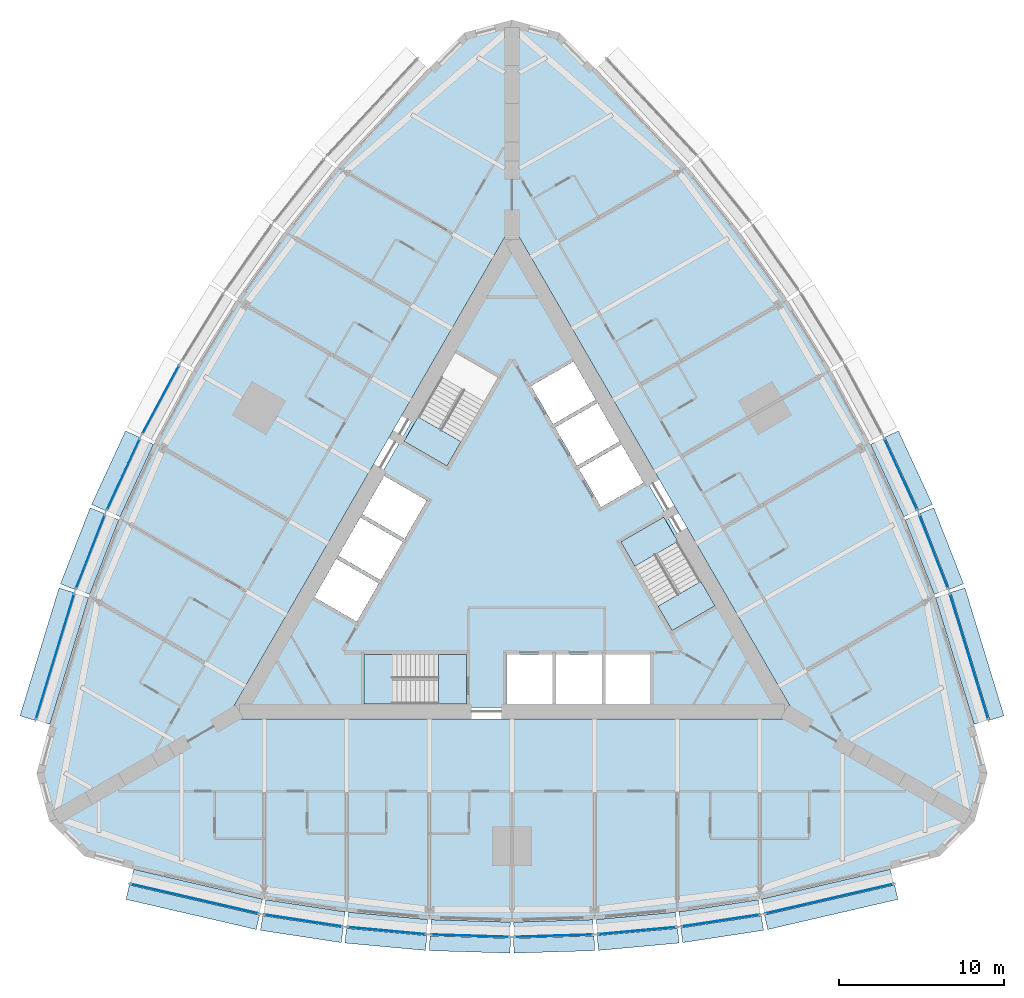
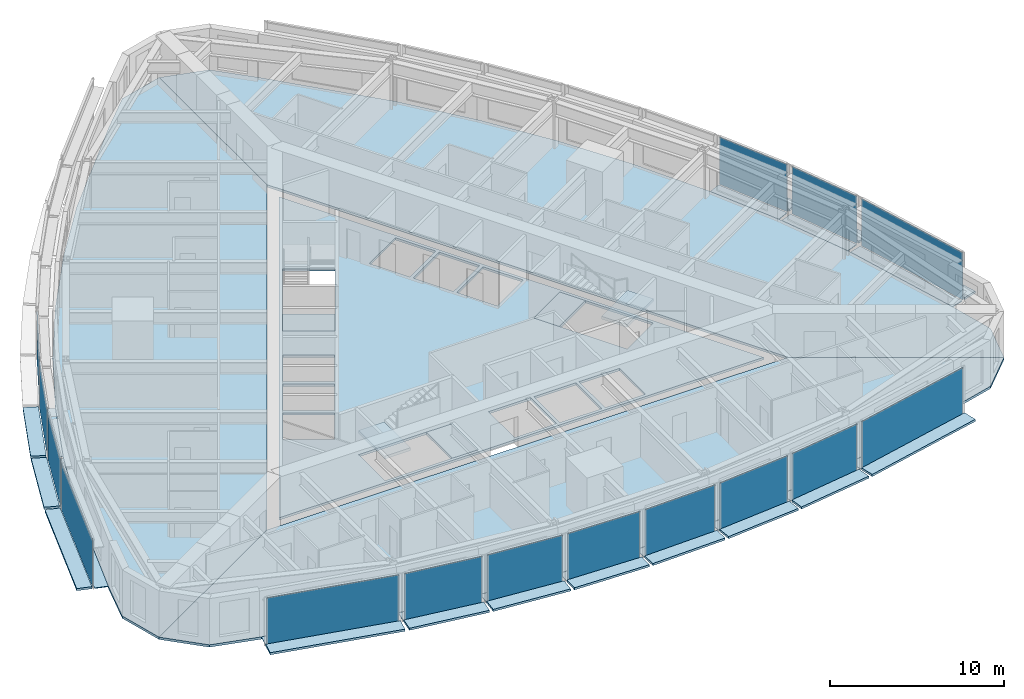
# One storey, part 6 of 14: 43 plates, 9 slabs, 18 elements without a shape of their own.
"""IFC4 building model written with IfcOpenShell, lengths in metres."""

from ifc_helpers import new_model, si_unit, direction, frame, origin, origin_2d, place, context, subcontext, project, spatial, polyline, rectangle, outline, extrude, material, layer, layer_set, type_object, element, aggregate, save


model = new_model("IFC4")

# Units and contexts
model_context = context("Model", 3, precision=1e-05, world=origin(), true_north=direction((0.0, 1.0)))
body_context = subcontext(model_context, "Body", "Model", "MODEL_VIEW")
ifc_project = project(units=[si_unit("LENGTHUNIT", "METRE"), si_unit("AREAUNIT", "SQUARE_METRE"), si_unit("VOLUMEUNIT", "CUBIC_METRE"), si_unit("PLANEANGLEUNIT", "RADIAN"), si_unit("MASSUNIT", "GRAM", prefix="KILO")], contexts=[model_context])

# Site, building, storey
site_placement = place(None, origin())
site = spatial("IfcSite", under=ifc_project, at=site_placement, CompositionType="ELEMENT")
building_placement = place(site_placement, origin())
building = spatial("IfcBuilding", under=site, at=building_placement, Name="Trikona Tower", CompositionType="ELEMENT")
storey_placement = place(building_placement, frame((0.0, 0.0, 65.89990234375)))
storey = spatial("IfcBuildingStorey", under=building, at=storey_placement, Name="L16", CompositionType="ELEMENT", Elevation=65.89990234375)

# Plates
ifc_material_1 = material(Name="Aluminium bar grating", Category="aluminium")
ifc_layer_1 = layer(ifc_material_1, 0.050048828125)
ifc_layer_set_1 = layer_set([ifc_layer_1], Name="Cavity catwalk grating")
plate_type_1 = type_object("IfcPlateType", Name="Cavity catwalk grating", PredefinedType="USERDEFINED", material=ifc_layer_set_1)
plate_1_placement = place(storey_placement, frame((-19.09228515625, -20.377197265625, -0.0498046875), z_axis=(0.0, 0.0, 1.0), x_axis=(0.974277718622, -0.225350675607, 0.0)))
element("IfcPlate", 1, at=plate_1_placement, inside=storey, type_object=plate_type_1, Name="Cavity catwalk L16-00", ObjectType="CATWALK GRATING", PredefinedType="USERDEFINED", context=body_context, shape_type="SweptSolid", body=[
    extrude(rectangle(XDim=8.01123046875, YDim=0.820068359375, at=origin_2d()), origin(), (0.0, 0.0, 1.0), 0.050048828125),
])
plate_2_placement = place(storey_placement, frame((-12.561767578125, -21.688720703125, -0.0498046875), z_axis=(0.0, 0.0, 1.0), x_axis=(0.988617896768, -0.150448177754, 0.0)))
element("IfcPlate", 2, at=plate_2_placement, inside=storey, type_object=plate_type_1, Name="Cavity catwalk L16-01", ObjectType="CATWALK GRATING", PredefinedType="USERDEFINED", context=body_context, shape_type="SweptSolid", body=[
    extrude(rectangle(XDim=4.857666015625, YDim=0.820068359375, at=origin_2d()), origin(), (0.0, 0.0, 1.0), 0.050048828125),
])
plate_3_placement = place(storey_placement, frame((-7.537353515625, -22.300537109375, -0.0498046875), z_axis=(0.0, 0.0, 1.0), x_axis=(0.995858098326, -0.090921108655, 0.0)))
element("IfcPlate", 3, at=plate_3_placement, inside=storey, type_object=plate_type_1, Name="Cavity catwalk L16-02", ObjectType="CATWALK GRATING", PredefinedType="USERDEFINED", context=body_context, shape_type="SweptSolid", body=[
    extrude(rectangle(XDim=4.82080078125, YDim=0.820068359375, at=origin_2d()), origin(), (0.0, 0.0, 1.0), 0.050048828125),
])
for number, where, z_axis, x_axis, name in (
    (4, (-2.512451171875, -22.606201171875, -0.0498046875), (0.0, 0.0, 1.0), (0.999537048889, -0.030425119525, 0.0), "Cavity catwalk L16-03"),
    (5, (2.512451171875, -22.606201171875, -0.0498046875), (0.0, 0.0, 1.0), (0.999537048889, 0.030425119525, 0.0), "Cavity catwalk L16-04"),
):
    element("IfcPlate", number, at=place(storey_placement, frame(where, z_axis=z_axis, x_axis=x_axis)), inside=storey, type_object=plate_type_1, Name=name, ObjectType="CATWALK GRATING", PredefinedType="USERDEFINED", context=body_context, shape_type="SweptSolid", body=[
        extrude(rectangle(XDim=4.80224609375, YDim=0.820068359375, at=origin_2d()), origin(), (0.0, 0.0, 1.0), 0.050048828125),
    ])
plate_4_placement = place(storey_placement, frame((7.537353515625, -22.300537109375, -0.0498046875), z_axis=(0.0, 0.0, 1.0), x_axis=(0.995858098326, 0.090921108655, 0.0)))
element("IfcPlate", 6, at=plate_4_placement, inside=storey, type_object=plate_type_1, Name="Cavity catwalk L16-05", ObjectType="CATWALK GRATING", PredefinedType="USERDEFINED", context=body_context, shape_type="SweptSolid", body=[
    extrude(rectangle(XDim=4.82080078125, YDim=0.820068359375, at=origin_2d()), origin(), (0.0, 0.0, 1.0), 0.050048828125),
])
plate_5_placement = place(storey_placement, frame((12.561767578125, -21.688720703125, -0.0498046875), z_axis=(0.0, 0.0, 1.0), x_axis=(0.988617896768, 0.150448177754, 0.0)))
element("IfcPlate", 7, at=plate_5_placement, inside=storey, type_object=plate_type_1, Name="Cavity catwalk L16-06", ObjectType="CATWALK GRATING", PredefinedType="USERDEFINED", context=body_context, shape_type="SweptSolid", body=[
    extrude(rectangle(XDim=4.857666015625, YDim=0.820068359375, at=origin_2d()), origin(), (0.0, 0.0, 1.0), 0.050048828125),
])
for number, where, z_axis, x_axis, name in (
    (8, (19.09228515625, -20.377197265625, -0.0498046875), (0.0, 0.0, 1.0), (0.974277718622, 0.225350675607, 0.0), "Cavity catwalk L16-07"),
    (9, (27.193359375, -6.345947265625, -0.0498046875), (0.0, 0.0, 1.0), (-0.291979449475, 0.956424592471, 0.0), "Cavity catwalk L16-12"),
):
    element("IfcPlate", number, at=place(storey_placement, frame(where, z_axis=z_axis, x_axis=x_axis)), inside=storey, type_object=plate_type_1, Name=name, ObjectType="CATWALK GRATING", PredefinedType="USERDEFINED", context=body_context, shape_type="SweptSolid", body=[
        extrude(rectangle(XDim=8.01123046875, YDim=0.820068359375, at=origin_2d()), origin(), (0.0, 0.0, 1.0), 0.050048828125),
    ])
plate_6_placement = place(storey_placement, frame((25.06396484375, -0.034423828125, -0.0498046875), z_axis=(0.0, 0.0, 1.0), x_axis=(-0.364008876551, 0.931395478726, 0.0)))
element("IfcPlate", 10, at=plate_6_placement, inside=storey, type_object=plate_type_1, Name="Cavity catwalk L16-13", ObjectType="CATWALK GRATING", PredefinedType="USERDEFINED", context=body_context, shape_type="SweptSolid", body=[
    extrude(rectangle(XDim=4.857666015625, YDim=0.820068359375, at=origin_2d()), origin(), (0.0, 0.0, 1.0), 0.050048828125),
])
for number, where, z_axis, x_axis, name in (
    (11, (23.081298828125, 4.622802734375, -0.0498046875), (0.0, 0.0, 1.0), (-0.41919381307, 0.907896771161, 0.0), "Cavity catwalk L16-14"),
    (12, (-23.081298828125, 4.622802734375, -0.0498046875), (0.0, 0.0, 1.0), (-0.41919381307, -0.907896771161, 0.0), "Cavity catwalk L16-29"),
):
    element("IfcPlate", number, at=place(storey_placement, frame(where, z_axis=z_axis, x_axis=x_axis)), inside=storey, type_object=plate_type_1, Name=name, ObjectType="CATWALK GRATING", PredefinedType="USERDEFINED", context=body_context, shape_type="SweptSolid", body=[
        extrude(rectangle(XDim=4.82080078125, YDim=0.820068359375, at=origin_2d()), origin(), (0.0, 0.0, 1.0), 0.050048828125),
    ])
plate_7_placement = place(storey_placement, frame((-25.06396484375, -0.034423828125, -0.0498046875), z_axis=(0.0, 0.0, 1.0), x_axis=(-0.364008876551, -0.931395478726, 0.0)))
element("IfcPlate", 13, at=plate_7_placement, inside=storey, type_object=plate_type_1, Name="Cavity catwalk L16-30", ObjectType="CATWALK GRATING", PredefinedType="USERDEFINED", context=body_context, shape_type="SweptSolid", body=[
    extrude(rectangle(XDim=4.857666015625, YDim=0.820068359375, at=origin_2d()), origin(), (0.0, 0.0, 1.0), 0.050048828125),
])
plate_8_placement = place(storey_placement, frame((-27.193359375, -6.345947265625, -0.0498046875), z_axis=(0.0, 0.0, 1.0), x_axis=(-0.291979449475, -0.956424592471, 0.0)))
element("IfcPlate", 14, at=plate_8_placement, inside=storey, type_object=plate_type_1, Name="Cavity catwalk L16-31", ObjectType="CATWALK GRATING", PredefinedType="USERDEFINED", context=body_context, shape_type="SweptSolid", body=[
    extrude(rectangle(XDim=8.01123046875, YDim=0.820068359375, at=origin_2d()), origin(), (0.0, 0.0, 1.0), 0.050048828125),
])

# Slabs
ifc_material_2 = material(Name="Concrete f'c 5000 psi lightweight on composite steel deck", Category="concrete")
ifc_layer_2 = layer(ifc_material_2, 0.1650390625)
ifc_layer_set_2 = layer_set([ifc_layer_2], Name="Composite floor slab 165")
slab_type_1 = type_object("IfcSlabType", Name="Composite floor slab 165", PredefinedType="FLOOR", material=ifc_layer_set_2)
slab_1_placement = place(storey_placement, frame((0.0, 0.0, -0.164794921875)))
element("IfcSlab", 15, at=slab_1_placement, inside=storey, type_object=slab_type_1, Name="Floor slab L16 core", PredefinedType="FLOOR", context=body_context, shape_type="SweptSolid", body=[
    extrude(outline(polyline([(-16.06689453125, -9.2763671875), (16.06689453125, -9.2763671875), (0.0, 18.552490234375), (-16.06689453125, -9.2763671875)]), holes=[polyline([(12.285400390625, -3.126220703125), (9.185302734375, 2.2431640625), (6.587158203125, 0.7431640625), (9.687255859375, -4.626220703125), (12.285400390625, -3.126220703125)]), polyline([(8.340087890625, -9.06640625), (8.340087890625, -6.086181640625), (5.659912109375, -6.086181640625), (5.659912109375, -9.06640625), (8.340087890625, -9.06640625)]), polyline([(5.390869140625, 2.835205078125), (7.9716796875, 4.3251953125), (6.631591796875, 6.646240234375), (4.05078125, 5.15625), (5.390869140625, 2.835205078125)]), polyline([(2.600830078125, 7.667724609375), (3.94091796875, 5.3466796875), (6.521484375, 6.8369140625), (5.181640625, 9.15771484375), (2.600830078125, 7.667724609375)]), polyline([(5.43994140625, -6.086181640625), (2.659912109375, -6.086181640625), (2.659912109375, -9.06640625), (5.43994140625, -9.06640625), (5.43994140625, -6.086181640625)]), polyline([(3.731689453125, 11.669189453125), (1.15087890625, 10.17919921875), (2.490966796875, 7.858154296875), (5.071533203125, 9.34814453125), (3.731689453125, 11.669189453125)]), polyline([(-0.340087890625, -6.086181640625), (-0.340087890625, -9.06640625), (2.43994140625, -9.06640625), (2.43994140625, -6.086181640625), (-0.340087890625, -6.086181640625)]), polyline([(-3.435302734375, 12.202392578125), (-6.535400390625, 6.8330078125), (-3.937255859375, 5.3330078125), (-0.837158203125, 10.702392578125), (-3.435302734375, 12.202392578125)]), polyline([(-8.949951171875, -9.076416015625), (-2.75, -9.076416015625), (-2.75, -6.076416015625), (-8.949951171875, -6.076416015625), (-8.949951171875, -9.076416015625)]), polyline([(-5.15087890625, 3.2509765625), (-7.731689453125, 4.740966796875), (-9.071533203125, 2.419921875), (-6.490966796875, 0.929931640625), (-5.15087890625, 3.2509765625)]), polyline([(-7.94091796875, -1.581298828125), (-6.600830078125, 0.739501953125), (-9.181640625, 2.2294921875), (-10.521484375, -0.09130859375), (-7.94091796875, -1.581298828125)]), polyline([(-11.9716796875, -2.602783203125), (-9.390869140625, -4.093017578125), (-8.05078125, -1.77197265625), (-10.631591796875, -0.281982421875), (-11.9716796875, -2.602783203125)])]), origin(), (0.0, 0.0, 1.0), 0.164794921875),
])
slab_2_placement = place(storey_placement, frame((0.0, 0.0, -0.164794921875)))
element("IfcSlab", 16, at=slab_2_placement, inside=storey, type_object=slab_type_1, Name="Floor slab L16 south", PredefinedType="FLOOR", context=body_context, shape_type="SweptSolid", body=[
    extrude(outline(polyline([(25.88671875, -18.279052734375), (28.0, -16.165771484375), (17.279296875, -9.976318359375), (-17.279296875, -9.976318359375), (-28.0, -16.165771484375), (-25.88671875, -18.279052734375), (-23.0, -19.052490234375), (-15.0, -20.903076171875), (-10.0, -21.663818359375), (-5.0, -22.120361328125), (0.0, -22.272705078125), (5.0, -22.120361328125), (10.0, -21.663818359375), (15.0, -20.903076171875), (23.0, -19.052490234375), (25.88671875, -18.279052734375)])), origin(), (0.0, 0.0, 1.0), 0.164794921875),
])
slab_3_placement = place(storey_placement, frame((0.0, 0.0, -0.164794921875)))
element("IfcSlab", 17, at=slab_3_placement, inside=storey, type_object=slab_type_1, Name="Floor slab L16 north-east", PredefinedType="FLOOR", context=body_context, shape_type="SweptSolid", body=[
    extrude(outline(polyline([(2.88671875, 31.55810546875), (0.0, 32.33154296875), (0.0, 19.95263671875), (17.279296875, -9.976318359375), (28.0, -16.165771484375), (28.7734375, -13.279052734375), (28.0, -10.392333984375), (25.6025390625, -2.538818359375), (23.761474609375, 2.171630859375), (21.65673828125, 6.72998046875), (19.28857421875, 11.13623046875), (16.65673828125, 15.390380859375), (13.761474609375, 19.4921875), (10.6025390625, 23.44189453125), (5.0, 29.44482421875), (2.88671875, 31.55810546875)])), origin(), (0.0, 0.0, 1.0), 0.164794921875),
])
slab_4_placement = place(storey_placement, frame((0.0, 0.0, -0.164794921875)))
element("IfcSlab", 18, at=slab_4_placement, inside=storey, type_object=slab_type_1, Name="Floor slab L16 north-west", PredefinedType="FLOOR", context=body_context, shape_type="SweptSolid", body=[
    extrude(outline(polyline([(0.0, 19.95263671875), (0.0, 32.33154296875), (-2.88671875, 31.55810546875), (-5.0, 29.44482421875), (-10.6025390625, 23.44189453125), (-13.761474609375, 19.4921875), (-16.65673828125, 15.390380859375), (-19.28857421875, 11.13623046875), (-21.65673828125, 6.72998046875), (-23.761474609375, 2.171630859375), (-25.6025390625, -2.538818359375), (-28.0, -10.392333984375), (-28.7734375, -13.279052734375), (-28.0, -16.165771484375), (-17.279296875, -9.976318359375), (0.0, 19.95263671875)])), origin(), (0.0, 0.0, 1.0), 0.164794921875),
])

# Curtain wall, plate
ifc_material_3 = material(Name="Aluminium curtain wall system", Category="aluminium")
curtain_wall_type = type_object("IfcCurtainWallType", Name="Curtain wall DS1", PredefinedType="NOTDEFINED", material=ifc_material_3)
curtain_wall_1_placement = place(storey_placement, origin())
curtain_wall_1 = element("IfcCurtainWall", 19, at=curtain_wall_1_placement, inside=storey, type_object=curtain_wall_type, Name="Curtain wall DS1 L16", PredefinedType="NOTDEFINED")
ifc_material_4 = material(Name="Laminated clear glass", Category="glass")
ifc_layer_3 = layer(ifc_material_4, 0.028076171875)
ifc_layer_set_3 = layer_set([ifc_layer_3], Name="Glass panel DS1")
plate_type_2 = type_object("IfcPlateType", Name="Glass panel DS1", PredefinedType="CURTAIN_PANEL", material=ifc_layer_set_3)
plate_9_placement = place(storey_placement, frame((-19.202880859375, -20.854736328125, 0.0), z_axis=(0.0, 0.0, 1.0), x_axis=(0.974279427173, -0.225343288756, 0.0)))
plate_9 = element("IfcPlate", 20, at=plate_9_placement, type_object=plate_type_2, Name="CW-DS1 panel 1.1", PredefinedType="CURTAIN_PANEL", context=body_context, shape_type="SweptSolid", body=[
    extrude(rectangle(XDim=7.93115234375, YDim=0.028076171875, at=origin_2d()), origin(), (0.0, 0.0, 1.0), 3.320068359375),
])
aggregate(curtain_wall_1, [plate_9])

curtain_wall_2_placement = place(storey_placement, origin())
curtain_wall_2 = element("IfcCurtainWall", 21, at=curtain_wall_2_placement, inside=storey, type_object=curtain_wall_type, Name="Curtain wall DS1 L16", PredefinedType="NOTDEFINED")
plate_10_placement = place(storey_placement, frame((-12.635498046875, -22.173095703125, 0.0), z_axis=(0.0, 0.0, 1.0), x_axis=(0.988619492156, -0.150437693845, 0.0)))
plate_10 = element("IfcPlate", 22, at=plate_10_placement, type_object=plate_type_2, Name="CW-DS1 panel 1.1", PredefinedType="CURTAIN_PANEL", context=body_context, shape_type="SweptSolid", body=[
    extrude(rectangle(XDim=4.777587890625, YDim=0.028076171875, at=origin_2d()), origin(), (0.0, 0.0, 1.0), 3.320068359375),
])
aggregate(curtain_wall_2, [plate_10])

curtain_wall_3_placement = place(storey_placement, origin())
curtain_wall_3 = element("IfcCurtainWall", 23, at=curtain_wall_3_placement, inside=storey, type_object=curtain_wall_type, Name="Curtain wall DS1 L16", PredefinedType="NOTDEFINED")
plate_11_placement = place(storey_placement, frame((-7.581787109375, -22.788330078125, 0.0), z_axis=(0.0, 0.0, 1.0), x_axis=(0.995857840485, -0.090923932737, 0.0)))
plate_11 = element("IfcPlate", 24, at=plate_11_placement, type_object=plate_type_2, Name="CW-DS1 panel 1.1", PredefinedType="CURTAIN_PANEL", context=body_context, shape_type="SweptSolid", body=[
    extrude(rectangle(XDim=4.74072265625, YDim=0.028076171875, at=origin_2d()), origin(), (0.0, 0.0, 1.0), 3.320068359375),
])
aggregate(curtain_wall_3, [plate_11])

curtain_wall_4_placement = place(storey_placement, origin())
curtain_wall_4 = element("IfcCurtainWall", 25, at=curtain_wall_4_placement, inside=storey, type_object=curtain_wall_type, Name="Curtain wall DS1 L16", PredefinedType="NOTDEFINED")
plate_12_placement = place(storey_placement, frame((-2.52734375, -23.09619140625, 0.0), z_axis=(0.0, 0.0, 1.0), x_axis=(0.999536695965, -0.030436711692, 0.0)))
plate_12 = element("IfcPlate", 26, at=plate_12_placement, type_object=plate_type_2, Name="CW-DS1 panel 1.1", PredefinedType="CURTAIN_PANEL", context=body_context, shape_type="SweptSolid", body=[
    extrude(rectangle(XDim=4.72216796875, YDim=0.028076171875, at=origin_2d()), origin(), (0.0, 0.0, 1.0), 3.320068359375),
])
aggregate(curtain_wall_4, [plate_12])

curtain_wall_5_placement = place(storey_placement, origin())
curtain_wall_5 = element("IfcCurtainWall", 27, at=curtain_wall_5_placement, inside=storey, type_object=curtain_wall_type, Name="Curtain wall DS1 L16", PredefinedType="NOTDEFINED")
plate_13_placement = place(storey_placement, frame((2.52734375, -23.09619140625, 0.0), z_axis=(0.0, 0.0, 1.0), x_axis=(0.999536695965, 0.030436711692, 0.0)))
plate_13 = element("IfcPlate", 28, at=plate_13_placement, type_object=plate_type_2, Name="CW-DS1 panel 1.1", PredefinedType="CURTAIN_PANEL", context=body_context, shape_type="SweptSolid", body=[
    extrude(rectangle(XDim=4.72216796875, YDim=0.028076171875, at=origin_2d()), origin(), (0.0, 0.0, 1.0), 3.320068359375),
])
aggregate(curtain_wall_5, [plate_13])

curtain_wall_6_placement = place(storey_placement, origin())
curtain_wall_6 = element("IfcCurtainWall", 29, at=curtain_wall_6_placement, inside=storey, type_object=curtain_wall_type, Name="Curtain wall DS1 L16", PredefinedType="NOTDEFINED")
plate_14_placement = place(storey_placement, frame((7.581787109375, -22.788330078125, 0.0), z_axis=(0.0, 0.0, 1.0), x_axis=(0.995857840485, 0.090923932737, 0.0)))
plate_14 = element("IfcPlate", 30, at=plate_14_placement, type_object=plate_type_2, Name="CW-DS1 panel 1.1", PredefinedType="CURTAIN_PANEL", context=body_context, shape_type="SweptSolid", body=[
    extrude(rectangle(XDim=4.74072265625, YDim=0.028076171875, at=origin_2d()), origin(), (0.0, 0.0, 1.0), 3.320068359375),
])
aggregate(curtain_wall_6, [plate_14])

curtain_wall_7_placement = place(storey_placement, origin())
curtain_wall_7 = element("IfcCurtainWall", 31, at=curtain_wall_7_placement, inside=storey, type_object=curtain_wall_type, Name="Curtain wall DS1 L16", PredefinedType="NOTDEFINED")
plate_15_placement = place(storey_placement, frame((12.635498046875, -22.173095703125, 0.0), z_axis=(0.0, 0.0, 1.0), x_axis=(0.988619492156, 0.150437693845, 0.0)))
plate_15 = element("IfcPlate", 32, at=plate_15_placement, type_object=plate_type_2, Name="CW-DS1 panel 1.1", PredefinedType="CURTAIN_PANEL", context=body_context, shape_type="SweptSolid", body=[
    extrude(rectangle(XDim=4.777587890625, YDim=0.028076171875, at=origin_2d()), origin(), (0.0, 0.0, 1.0), 3.320068359375),
])
aggregate(curtain_wall_7, [plate_15])

curtain_wall_8_placement = place(storey_placement, origin())
curtain_wall_8 = element("IfcCurtainWall", 33, at=curtain_wall_8_placement, inside=storey, type_object=curtain_wall_type, Name="Curtain wall DS1 L16", PredefinedType="NOTDEFINED")
plate_16_placement = place(storey_placement, frame((19.202880859375, -20.854736328125, 0.0), z_axis=(0.0, 0.0, 1.0), x_axis=(0.974279427173, 0.225343288756, 0.0)))
plate_16 = element("IfcPlate", 34, at=plate_16_placement, type_object=plate_type_2, Name="CW-DS1 panel 1.1", PredefinedType="CURTAIN_PANEL", context=body_context, shape_type="SweptSolid", body=[
    extrude(rectangle(XDim=7.93115234375, YDim=0.028076171875, at=origin_2d()), origin(), (0.0, 0.0, 1.0), 3.320068359375),
])
aggregate(curtain_wall_8, [plate_16])

curtain_wall_9_placement = place(storey_placement, origin())
curtain_wall_9 = element("IfcCurtainWall", 35, at=curtain_wall_9_placement, inside=storey, type_object=curtain_wall_type, Name="Curtain wall DS1 L16", PredefinedType="NOTDEFINED")
plate_17_placement = place(storey_placement, frame((27.662109375, -6.202880859375, 0.0), z_axis=(0.0, 0.0, 1.0), x_axis=(-0.291984287868, 0.956423115383, 0.0)))
plate_17 = element("IfcPlate", 36, at=plate_17_placement, type_object=plate_type_2, Name="CW-DS1 panel 1.1", PredefinedType="CURTAIN_PANEL", context=body_context, shape_type="SweptSolid", body=[
    extrude(rectangle(XDim=7.93115234375, YDim=0.028076171875, at=origin_2d()), origin(), (0.0, 0.0, 1.0), 3.320068359375),
])
aggregate(curtain_wall_9, [plate_17])

curtain_wall_10_placement = place(storey_placement, origin())
curtain_wall_10 = element("IfcCurtainWall", 37, at=curtain_wall_10_placement, inside=storey, type_object=curtain_wall_type, Name="Curtain wall DS1 L16", PredefinedType="NOTDEFINED")
plate_18_placement = place(storey_placement, frame((25.520263671875, 0.14404296875, 0.0), z_axis=(0.0, 0.0, 1.0), x_axis=(-0.36400756977, 0.931395989443, 0.0)))
plate_18 = element("IfcPlate", 38, at=plate_18_placement, type_object=plate_type_2, Name="CW-DS1 panel 1.1", PredefinedType="CURTAIN_PANEL", context=body_context, shape_type="SweptSolid", body=[
    extrude(rectangle(XDim=4.777587890625, YDim=0.028076171875, at=origin_2d()), origin(), (0.0, 0.0, 1.0), 3.320068359375),
])
aggregate(curtain_wall_10, [plate_18])

curtain_wall_11_placement = place(storey_placement, origin())
curtain_wall_11 = element("IfcCurtainWall", 39, at=curtain_wall_11_placement, inside=storey, type_object=curtain_wall_type, Name="Curtain wall DS1 L16", PredefinedType="NOTDEFINED")
plate_19_placement = place(storey_placement, frame((23.5263671875, 4.828125, 0.0), z_axis=(0.0, 0.0, 1.0), x_axis=(-0.419190155352, 0.907898459992, 0.0)))
plate_19 = element("IfcPlate", 40, at=plate_19_placement, type_object=plate_type_2, Name="CW-DS1 panel 1.1", PredefinedType="CURTAIN_PANEL", context=body_context, shape_type="SweptSolid", body=[
    extrude(rectangle(XDim=4.740966796875, YDim=0.028076171875, at=origin_2d()), origin(), (0.0, 0.0, 1.0), 3.320068359375),
])
aggregate(curtain_wall_11, [plate_19])

curtain_wall_12_placement = place(storey_placement, origin())
curtain_wall_12 = element("IfcCurtainWall", 41, at=curtain_wall_12_placement, inside=storey, type_object=curtain_wall_type, Name="Curtain wall DS1 L16", PredefinedType="NOTDEFINED")
plate_20_placement = place(storey_placement, frame((-21.265380859375, 9.359130859375, 0.0), z_axis=(0.0, 0.0, 1.0), x_axis=(-0.473408350896, -0.880843080975, 0.0)))
plate_20 = element("IfcPlate", 42, at=plate_20_placement, type_object=plate_type_2, Name="CW-DS1 panel 1.1", PredefinedType="CURTAIN_PANEL", context=body_context, shape_type="SweptSolid", body=[
    extrude(rectangle(XDim=4.72216796875, YDim=0.028076171875, at=origin_2d()), origin(), (0.0, 0.0, 1.0), 3.320068359375),
])
aggregate(curtain_wall_12, [plate_20])

curtain_wall_13_placement = place(storey_placement, origin())
curtain_wall_13 = element("IfcCurtainWall", 43, at=curtain_wall_13_placement, inside=storey, type_object=curtain_wall_type, Name="Curtain wall DS1 L16", PredefinedType="NOTDEFINED")
plate_21_placement = place(storey_placement, frame((-23.5263671875, 4.828125, 0.0), z_axis=(0.0, 0.0, 1.0), x_axis=(-0.419190155352, -0.907898459992, 0.0)))
plate_21 = element("IfcPlate", 44, at=plate_21_placement, type_object=plate_type_2, Name="CW-DS1 panel 1.1", PredefinedType="CURTAIN_PANEL", context=body_context, shape_type="SweptSolid", body=[
    extrude(rectangle(XDim=4.740966796875, YDim=0.028076171875, at=origin_2d()), origin(), (0.0, 0.0, 1.0), 3.320068359375),
])
aggregate(curtain_wall_13, [plate_21])

curtain_wall_14_placement = place(storey_placement, origin())
curtain_wall_14 = element("IfcCurtainWall", 45, at=curtain_wall_14_placement, inside=storey, type_object=curtain_wall_type, Name="Curtain wall DS1 L16", PredefinedType="NOTDEFINED")
plate_22_placement = place(storey_placement, frame((-25.520263671875, 0.14404296875, 0.0), z_axis=(0.0, 0.0, 1.0), x_axis=(-0.36400756977, -0.931395989443, 0.0)))
plate_22 = element("IfcPlate", 46, at=plate_22_placement, type_object=plate_type_2, Name="CW-DS1 panel 1.1", PredefinedType="CURTAIN_PANEL", context=body_context, shape_type="SweptSolid", body=[
    extrude(rectangle(XDim=4.777587890625, YDim=0.028076171875, at=origin_2d()), origin(), (0.0, 0.0, 1.0), 3.320068359375),
])
aggregate(curtain_wall_14, [plate_22])

curtain_wall_15_placement = place(storey_placement, origin())
curtain_wall_15 = element("IfcCurtainWall", 47, at=curtain_wall_15_placement, inside=storey, type_object=curtain_wall_type, Name="Curtain wall DS1 L16", PredefinedType="NOTDEFINED")
plate_23_placement = place(storey_placement, frame((-27.662109375, -6.202880859375, 0.0), z_axis=(0.0, 0.0, 1.0), x_axis=(-0.291984287868, -0.956423115383, 0.0)))
plate_23 = element("IfcPlate", 48, at=plate_23_placement, type_object=plate_type_2, Name="CW-DS1 panel 1.1", PredefinedType="CURTAIN_PANEL", context=body_context, shape_type="SweptSolid", body=[
    extrude(rectangle(XDim=7.93115234375, YDim=0.028076171875, at=origin_2d()), origin(), (0.0, 0.0, 1.0), 3.320068359375),
])
aggregate(curtain_wall_15, [plate_23])

# Plates
ifc_material_5 = material(Name="Aluminium plate fin, pale anodised, on stainless steel outriggers", Category="steel")
ifc_layer_4 = layer(ifc_material_5, 0.14990234375)
ifc_layer_set_4 = layer_set([ifc_layer_4], Name="Outer skin fin 900")
plate_type_3 = type_object("IfcPlateType", Name="Outer skin fin 900", PredefinedType="USERDEFINED", material=ifc_layer_set_4)
plate_24_placement = place(storey_placement, frame((-19.322265625, -21.37109375, 0.000244140625), z_axis=(0.0, 0.0, 1.0), x_axis=(0.974277718622, -0.225350675607, 0.0)))
element("IfcPlate", 49, at=plate_24_placement, inside=storey, type_object=plate_type_3, Name="Outer skin fin L16-00", ObjectType="FIN", PredefinedType="USERDEFINED", context=body_context, shape_type="SweptSolid", body=[
    extrude(rectangle(XDim=8.09130859375, YDim=0.89990234375, at=origin_2d()), origin(), (0.0, 0.0, 1.0), 0.14990234375),
])
plate_25_placement = place(storey_placement, frame((-12.715087890625, -22.697265625, 0.000244140625), z_axis=(0.0, 0.0, 1.0), x_axis=(0.988617896768, -0.150448177754, 0.0)))
element("IfcPlate", 50, at=plate_25_placement, inside=storey, type_object=plate_type_3, Name="Outer skin fin L16-01", ObjectType="FIN", PredefinedType="USERDEFINED", context=body_context, shape_type="SweptSolid", body=[
    extrude(rectangle(XDim=4.9375, YDim=0.89990234375, at=origin_2d()), origin(), (0.0, 0.0, 1.0), 0.14990234375),
])
plate_26_placement = place(storey_placement, frame((-7.6298828125, -23.316162109375, 0.000244140625), z_axis=(0.0, 0.0, 1.0), x_axis=(0.995858098326, -0.090921108655, 0.0)))
element("IfcPlate", 51, at=plate_26_placement, inside=storey, type_object=plate_type_3, Name="Outer skin fin L16-02", ObjectType="FIN", PredefinedType="USERDEFINED", context=body_context, shape_type="SweptSolid", body=[
    extrude(rectangle(XDim=4.90087890625, YDim=0.89990234375, at=origin_2d()), origin(), (0.0, 0.0, 1.0), 0.14990234375),
])
for number, where, z_axis, x_axis, name in (
    (52, (-2.54345703125, -23.625732421875, 0.000244140625), (0.0, 0.0, 1.0), (0.999537048889, -0.030425119525, 0.0), "Outer skin fin L16-03"),
    (53, (2.54345703125, -23.625732421875, 0.000244140625), (0.0, 0.0, 1.0), (0.999537048889, 0.030425119525, 0.0), "Outer skin fin L16-04"),
):
    element("IfcPlate", number, at=place(storey_placement, frame(where, z_axis=z_axis, x_axis=x_axis)), inside=storey, type_object=plate_type_3, Name=name, ObjectType="FIN", PredefinedType="USERDEFINED", context=body_context, shape_type="SweptSolid", body=[
        extrude(rectangle(XDim=4.88232421875, YDim=0.89990234375, at=origin_2d()), origin(), (0.0, 0.0, 1.0), 0.14990234375),
    ])
plate_27_placement = place(storey_placement, frame((7.6298828125, -23.316162109375, 0.000244140625), z_axis=(0.0, 0.0, 1.0), x_axis=(0.995858098326, 0.090921108655, 0.0)))
element("IfcPlate", 54, at=plate_27_placement, inside=storey, type_object=plate_type_3, Name="Outer skin fin L16-05", ObjectType="FIN", PredefinedType="USERDEFINED", context=body_context, shape_type="SweptSolid", body=[
    extrude(rectangle(XDim=4.90087890625, YDim=0.89990234375, at=origin_2d()), origin(), (0.0, 0.0, 1.0), 0.14990234375),
])
plate_28_placement = place(storey_placement, frame((12.715087890625, -22.697265625, 0.000244140625), z_axis=(0.0, 0.0, 1.0), x_axis=(0.988617896768, 0.150448177754, 0.0)))
element("IfcPlate", 55, at=plate_28_placement, inside=storey, type_object=plate_type_3, Name="Outer skin fin L16-06", ObjectType="FIN", PredefinedType="USERDEFINED", context=body_context, shape_type="SweptSolid", body=[
    extrude(rectangle(XDim=4.9375, YDim=0.89990234375, at=origin_2d()), origin(), (0.0, 0.0, 1.0), 0.14990234375),
])
for number, where, z_axis, x_axis, name in (
    (56, (19.322265625, -21.37109375, 0.000244140625), (0.0, 0.0, 1.0), (0.974277718622, 0.225350675607, 0.0), "Outer skin fin L16-07"),
    (57, (28.1689453125, -6.048095703125, 0.000244140625), (0.0, 0.0, 1.0), (-0.291979449475, 0.956424592471, 0.0), "Outer skin fin L16-12"),
):
    element("IfcPlate", number, at=place(storey_placement, frame(where, z_axis=z_axis, x_axis=x_axis)), inside=storey, type_object=plate_type_3, Name=name, ObjectType="FIN", PredefinedType="USERDEFINED", context=body_context, shape_type="SweptSolid", body=[
        extrude(rectangle(XDim=8.09130859375, YDim=0.89990234375, at=origin_2d()), origin(), (0.0, 0.0, 1.0), 0.14990234375),
    ])
plate_29_placement = place(storey_placement, frame((26.013916015625, 0.3369140625, 0.000244140625), z_axis=(0.0, 0.0, 1.0), x_axis=(-0.364008876551, 0.931395478726, 0.0)))
element("IfcPlate", 58, at=plate_29_placement, inside=storey, type_object=plate_type_3, Name="Outer skin fin L16-13", ObjectType="FIN", PredefinedType="USERDEFINED", context=body_context, shape_type="SweptSolid", body=[
    extrude(rectangle(XDim=4.9375, YDim=0.89990234375, at=origin_2d()), origin(), (0.0, 0.0, 1.0), 0.14990234375),
])
for number, where, z_axis, x_axis, name in (
    (59, (24.00732421875, 5.05029296875, 0.000244140625), (0.0, 0.0, 1.0), (-0.41919381307, 0.907896771161, 0.0), "Outer skin fin L16-14"),
    (60, (-24.00732421875, 5.05029296875, 0.000244140625), (0.0, 0.0, 1.0), (-0.41919381307, -0.907896771161, 0.0), "Outer skin fin L16-29"),
):
    element("IfcPlate", number, at=place(storey_placement, frame(where, z_axis=z_axis, x_axis=x_axis)), inside=storey, type_object=plate_type_3, Name=name, ObjectType="FIN", PredefinedType="USERDEFINED", context=body_context, shape_type="SweptSolid", body=[
        extrude(rectangle(XDim=4.90087890625, YDim=0.89990234375, at=origin_2d()), origin(), (0.0, 0.0, 1.0), 0.14990234375),
    ])
plate_30_placement = place(storey_placement, frame((-26.013916015625, 0.3369140625, 0.000244140625), z_axis=(0.0, 0.0, 1.0), x_axis=(-0.364008876551, -0.931395478726, 0.0)))
element("IfcPlate", 61, at=plate_30_placement, inside=storey, type_object=plate_type_3, Name="Outer skin fin L16-30", ObjectType="FIN", PredefinedType="USERDEFINED", context=body_context, shape_type="SweptSolid", body=[
    extrude(rectangle(XDim=4.9375, YDim=0.89990234375, at=origin_2d()), origin(), (0.0, 0.0, 1.0), 0.14990234375),
])
plate_31_placement = place(storey_placement, frame((-28.1689453125, -6.048095703125, 0.000244140625), z_axis=(0.0, 0.0, 1.0), x_axis=(-0.291979449475, -0.956424592471, 0.0)))
element("IfcPlate", 62, at=plate_31_placement, inside=storey, type_object=plate_type_3, Name="Outer skin fin L16-31", ObjectType="FIN", PredefinedType="USERDEFINED", context=body_context, shape_type="SweptSolid", body=[
    extrude(rectangle(XDim=8.09130859375, YDim=0.89990234375, at=origin_2d()), origin(), (0.0, 0.0, 1.0), 0.14990234375),
])

# Stair, slabs
ifc_material_6 = material(Name="Concrete f'c 5000 psi", Category="concrete")
stair_type = type_object("IfcStairType", Name="Core stair", PredefinedType="HALF_TURN_STAIR", material=ifc_material_6)
stair_1_placement = place(storey_placement, origin())
stair_1 = element("IfcStair", 63, at=stair_1_placement, inside=storey, type_object=stair_type, Name="Stair A L16", PredefinedType="HALF_TURN_STAIR")
ifc_material_7 = material(Name="Concrete f'c 5000 psi", Category="concrete")
ifc_layer_5 = layer(ifc_material_7, 0.199951171875)
ifc_layer_set_5 = layer_set([ifc_layer_5], Name="Stair landing 200")
slab_type_2 = type_object("IfcSlabType", Name="Stair landing 200", PredefinedType="LANDING", material=ifc_layer_set_5)
slab_5_placement = place(storey_placement, frame((0.0, 0.0, -0.199951171875)))
slab_5 = element("IfcSlab", 64, at=slab_5_placement, type_object=slab_type_2, Name="ST-A landing 1", PredefinedType="LANDING", context=body_context, shape_type="SweptSolid", body=[
    extrude(outline(polyline([(-4.452880859375, -6.076416015625), (-2.75, -6.076416015625), (-2.75, -9.076416015625), (-4.452880859375, -9.076416015625), (-4.452880859375, -6.076416015625)])), origin(), (0.0, 0.0, 1.0), 0.199951171875),
])
slab_6_placement = place(storey_placement, frame((0.0, 0.0, 1.5)))
slab_6 = element("IfcSlab", 65, at=slab_6_placement, type_object=slab_type_2, Name="ST-A landing 2", PredefinedType="LANDING", context=body_context, shape_type="SweptSolid", body=[
    extrude(outline(polyline([(-8.949951171875, -6.076416015625), (-7.2470703125, -6.076416015625), (-7.2470703125, -9.076416015625), (-8.949951171875, -9.076416015625), (-8.949951171875, -6.076416015625)])), origin(), (0.0, 0.0, 1.0), 0.2001953125),
])
aggregate(stair_1, [slab_5, slab_6])

stair_2_placement = place(storey_placement, origin())
stair_2 = element("IfcStair", 66, at=stair_2_placement, inside=storey, type_object=stair_type, Name="Stair B L16", PredefinedType="HALF_TURN_STAIR")
slab_7_placement = place(storey_placement, frame((0.0, 0.0, -0.199951171875)))
slab_7 = element("IfcSlab", 67, at=slab_7_placement, type_object=slab_type_2, Name="ST-B landing 1", PredefinedType="LANDING", context=body_context, shape_type="SweptSolid", body=[
    extrude(outline(polyline([(7.438720703125, -0.731689453125), (6.587158203125, 0.7431640625), (9.185302734375, 2.2431640625), (10.036865234375, 0.768310546875), (7.438720703125, -0.731689453125)])), origin(), (0.0, 0.0, 1.0), 0.199951171875),
])
slab_8_placement = place(storey_placement, frame((0.0, 0.0, 1.5)))
slab_8 = element("IfcSlab", 68, at=slab_8_placement, type_object=slab_type_2, Name="ST-B landing 2", PredefinedType="LANDING", context=body_context, shape_type="SweptSolid", body=[
    extrude(outline(polyline([(9.687255859375, -4.626220703125), (8.835693359375, -3.1513671875), (11.433837890625, -1.6513671875), (12.285400390625, -3.126220703125), (9.687255859375, -4.626220703125)])), origin(), (0.0, 0.0, 1.0), 0.2001953125),
])
aggregate(stair_2, [slab_7, slab_8])

# Stair, slab
stair_3_placement = place(storey_placement, origin())
stair_3 = element("IfcStair", 69, at=stair_3_placement, inside=storey, type_object=stair_type, Name="Stair C L16", PredefinedType="HALF_TURN_STAIR")
slab_9_placement = place(storey_placement, frame((0.0, 0.0, -0.199951171875)))
slab_9 = element("IfcSlab", 70, at=slab_9_placement, type_object=slab_type_2, Name="ST-C landing 1", PredefinedType="LANDING", context=body_context, shape_type="SweptSolid", body=[
    extrude(outline(polyline([(-3.085693359375, 6.807861328125), (-3.937255859375, 5.3330078125), (-6.535400390625, 6.8330078125), (-5.683837890625, 8.307861328125), (-3.085693359375, 6.807861328125)])), origin(), (0.0, 0.0, 1.0), 0.199951171875),
])
aggregate(stair_3, [slab_9])

save(model, "model.ifc")
